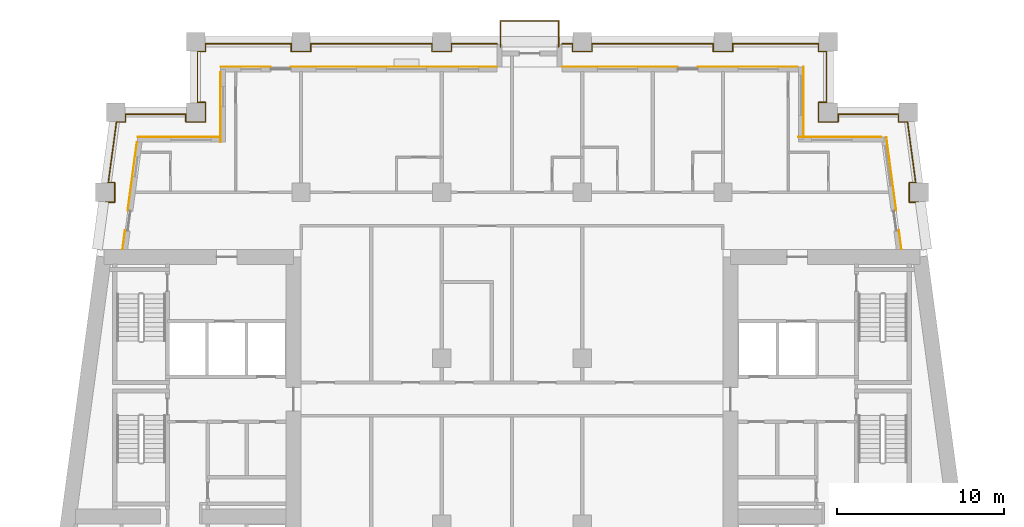
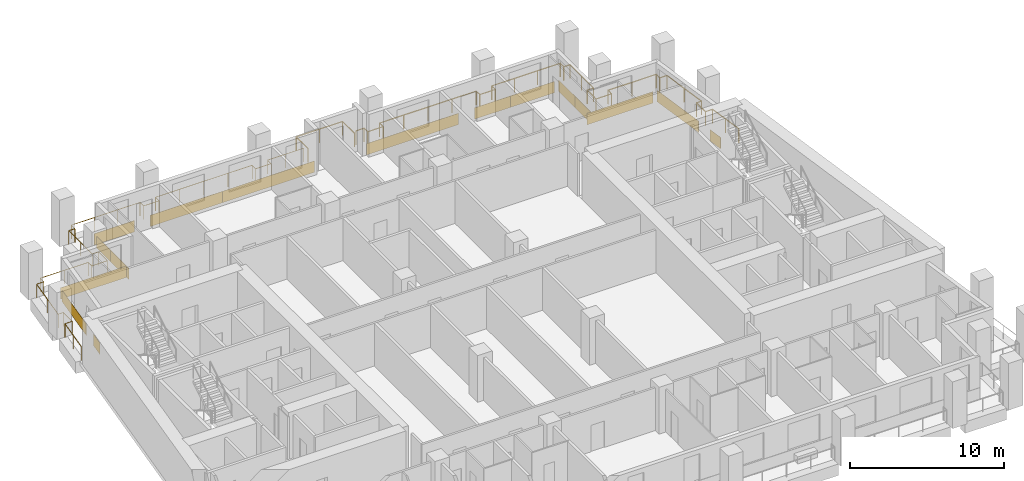
# One storey, part 12 of 13: 16 coverings, 3 railings.
"""IFC4 building model written with IfcOpenShell, lengths in metres."""

from ifc_helpers import new_model, si_unit, direction, frame, origin, origin_2d, place, context, subcontext, project, spatial, rectangle, circle, extrude, material, layer, layer_set, type_object, element, save


model = new_model("IFC4")

# Units and contexts
model_context = context("Model", 3, precision=1e-05, world=origin(), true_north=direction((0.0, 1.0)))
body_context = subcontext(model_context, "Body", "Model", "MODEL_VIEW")
ifc_project = project(units=[si_unit("LENGTHUNIT", "METRE"), si_unit("AREAUNIT", "SQUARE_METRE"), si_unit("VOLUMEUNIT", "CUBIC_METRE"), si_unit("PLANEANGLEUNIT", "RADIAN"), si_unit("MASSUNIT", "GRAM", prefix="KILO")], contexts=[model_context])

# Site, building, storey
site_placement = place(None, origin())
site = spatial("IfcSite", under=ifc_project, at=site_placement, CompositionType="ELEMENT")
building_placement = place(site_placement, origin())
building = spatial("IfcBuilding", under=site, at=building_placement, Name="Candeia Pilgrim Tower and Theatre", CompositionType="ELEMENT")
storey_placement = place(building_placement, frame((0.0, 0.0, 181.10009765625)))
storey = spatial("IfcBuildingStorey", under=building, at=storey_placement, Name="L43", CompositionType="ELEMENT", Elevation=181.10009765625)

# Railings
ifc_material_1 = material(Name="Stainless steel balustrade", Category="steel")
railing_type = type_object("IfcRailingType", Name="G1 loggia guard 1100", PredefinedType="GUARDRAIL", material=ifc_material_1)
railing_1_placement = place(storey_placement, frame((88.758544921875, 132.449951171875, 0.0)))
element("IfcRailing", 1, at=railing_1_placement, inside=storey, type_object=railing_type, Name="Guard L43.2", PredefinedType="GUARDRAIL", context=body_context, shape_type="SweptSolid", body=[
    extrude(circle(Radius=0.02392578125, at=origin_2d()), frame((0.0, 0.0, 1.076171875), z_axis=(0.133382313969, 0.991064659001, 0.0), x_axis=(-0.991064659001, 0.133382313969, 0.0)), (0.0, 0.0, 1.0), 2.794921875),
    extrude(circle(Radius=0.02392578125, at=origin_2d()), frame((0.372802734375, 2.77001953125, 1.076171875), z_axis=(1.0, 0.0, 0.0), x_axis=(0.0, 1.0, 0.0)), (0.0, 0.0, 1.0), 0.537109375),
    extrude(circle(Radius=0.02392578125, at=origin_2d()), frame((0.909912109375, 2.77001953125, 1.076171875), z_axis=(0.0, 1.0, 0.0), x_axis=(-1.0, 0.0, 0.0)), (0.0, 0.0, 1.0), 1.159912109375),
    extrude(circle(Radius=0.02392578125, at=origin_2d()), frame((0.909912109375, 3.929931640625, 1.076171875), z_axis=(-1.0, 0.0, 0.0), x_axis=(0.0, -1.0, 0.0)), (0.0, 0.0, 1.0), 0.380859375),
    extrude(circle(Radius=0.02392578125, at=origin_2d()), frame((0.529052734375, 3.929931640625, 1.076171875), z_axis=(0.133404479078, 0.99106167566, 0.0), x_axis=(-0.99106167566, 0.133404479078, 0.0)), (0.0, 0.0, 1.0), 3.6728515625),
    extrude(circle(Radius=0.02392578125, at=origin_2d()), frame((1.01904296875, 7.570068359375, 1.076171875), z_axis=(1.0, 0.0, 0.0), x_axis=(0.0, 1.0, 0.0)), (0.0, 0.0, 1.0), 0.537109375),
    extrude(circle(Radius=0.02392578125, at=origin_2d()), frame((1.55615234375, 7.570068359375, 1.076171875), z_axis=(0.0, 1.0, 0.0), x_axis=(-1.0, 0.0, 0.0)), (0.0, 0.0, 1.0), 0.4599609375),
    extrude(circle(Radius=0.02392578125, at=origin_2d()), frame((1.55615234375, 8.030029296875, 1.076171875), z_axis=(1.0, 0.0, 0.0), x_axis=(0.0, 1.0, 0.0)), (0.0, 0.0, 1.0), 3.605224609375),
    extrude(circle(Radius=0.02392578125, at=origin_2d()), frame((5.161376953125, 8.030029296875, 1.076171875), z_axis=(0.0, -1.0, 0.0), x_axis=(1.0, 0.0, 0.0)), (0.0, 0.0, 1.0), 0.4599609375),
    extrude(circle(Radius=0.02392578125, at=origin_2d()), frame((5.161376953125, 7.570068359375, 1.076171875), z_axis=(1.0, 0.0, 0.0), x_axis=(0.0, 1.0, 0.0)), (0.0, 0.0, 1.0), 1.16015625),
    extrude(circle(Radius=0.02392578125, at=origin_2d()), frame((6.321533203125, 7.570068359375, 1.076171875), z_axis=(0.0, 1.0, 0.0), x_axis=(-1.0, 0.0, 0.0)), (0.0, 0.0, 1.0), 1.159912109375),
    extrude(circle(Radius=0.02392578125, at=origin_2d()), frame((6.321533203125, 8.72998046875, 1.076171875), z_axis=(-1.0, 0.0, 0.0), x_axis=(0.0, -1.0, 0.0)), (0.0, 0.0, 1.0), 0.4599609375),
    extrude(circle(Radius=0.02392578125, at=origin_2d()), frame((5.861572265625, 8.72998046875, 1.076171875), z_axis=(0.0, 1.0, 0.0), x_axis=(-1.0, 0.0, 0.0)), (0.0, 0.0, 1.0), 3.0400390625),
    extrude(circle(Radius=0.02392578125, at=origin_2d()), frame((5.861572265625, 11.77001953125, 1.076171875), z_axis=(1.0, 0.0, 0.0), x_axis=(0.0, 1.0, 0.0)), (0.0, 0.0, 1.0), 0.4599609375),
    extrude(circle(Radius=0.02392578125, at=origin_2d()), frame((6.321533203125, 11.77001953125, 1.076171875), z_axis=(0.0, 1.0, 0.0), x_axis=(-1.0, 0.0, 0.0)), (0.0, 0.0, 1.0), 0.4599609375),
    extrude(circle(Radius=0.02392578125, at=origin_2d()), frame((6.321533203125, 12.22998046875, 1.076171875), z_axis=(1.0, 0.0, 0.0), x_axis=(0.0, 1.0, 0.0)), (0.0, 0.0, 1.0), 5.139892578125),
    extrude(circle(Radius=0.02392578125, at=origin_2d()), frame((11.46142578125, 12.22998046875, 1.076171875), z_axis=(0.0, -1.0, 0.0), x_axis=(1.0, 0.0, 0.0)), (0.0, 0.0, 1.0), 0.4599609375),
    extrude(circle(Radius=0.02392578125, at=origin_2d()), frame((11.46142578125, 11.77001953125, 1.076171875), z_axis=(1.0, 0.0, 0.0), x_axis=(0.0, 1.0, 0.0)), (0.0, 0.0, 1.0), 1.159912109375),
    extrude(circle(Radius=0.02392578125, at=origin_2d()), frame((12.621337890625, 11.77001953125, 1.076171875), z_axis=(0.0, 1.0, 0.0), x_axis=(-1.0, 0.0, 0.0)), (0.0, 0.0, 1.0), 0.4599609375),
    extrude(circle(Radius=0.02392578125, at=origin_2d()), frame((12.621337890625, 12.22998046875, 1.076171875), z_axis=(1.0, 0.0, 0.0), x_axis=(0.0, 1.0, 0.0)), (0.0, 0.0, 1.0), 7.240234375),
    extrude(circle(Radius=0.02392578125, at=origin_2d()), frame((19.861572265625, 12.22998046875, 1.076171875), z_axis=(0.0, -1.0, 0.0), x_axis=(1.0, 0.0, 0.0)), (0.0, 0.0, 1.0), 0.4599609375),
    extrude(circle(Radius=0.02392578125, at=origin_2d()), frame((19.861572265625, 11.77001953125, 1.076171875), z_axis=(1.0, 0.0, 0.0), x_axis=(0.0, 1.0, 0.0)), (0.0, 0.0, 1.0), 1.159912109375),
    extrude(circle(Radius=0.02392578125, at=origin_2d()), frame((21.021484375, 11.77001953125, 1.076171875), z_axis=(0.0, 1.0, 0.0), x_axis=(-1.0, 0.0, 0.0)), (0.0, 0.0, 1.0), 0.4599609375),
    extrude(circle(Radius=0.02392578125, at=origin_2d()), frame((21.021484375, 12.22998046875, 1.076171875), z_axis=(1.0, 0.0, 0.0), x_axis=(0.0, 1.0, 0.0)), (0.0, 0.0, 1.0), 2.719970703125),
    extrude(circle(Radius=0.02099609375, at=origin_2d()), origin(), (0.0, 0.0, 1.0), 1.052001953125),
    extrude(circle(Radius=0.02099609375, at=origin_2d()), frame((0.1865234375, 1.385009765625, 0.0)), (0.0, 0.0, 1.0), 1.052001953125),
    extrude(circle(Radius=0.02099609375, at=origin_2d()), frame((0.372802734375, 2.77001953125, 0.0)), (0.0, 0.0, 1.0), 1.052001953125),
    extrude(circle(Radius=0.02099609375, at=origin_2d()), frame((0.909912109375, 2.77001953125, 0.0)), (0.0, 0.0, 1.0), 1.052001953125),
    extrude(circle(Radius=0.02099609375, at=origin_2d()), frame((0.909912109375, 3.929931640625, 0.0)), (0.0, 0.0, 1.0), 1.052001953125),
    extrude(circle(Radius=0.02099609375, at=origin_2d()), frame((0.529052734375, 3.929931640625, 0.0)), (0.0, 0.0, 1.0), 1.052001953125),
    extrude(circle(Radius=0.02099609375, at=origin_2d()), frame((0.77392578125, 5.75, 0.0)), (0.0, 0.0, 1.0), 1.052001953125),
    extrude(circle(Radius=0.02099609375, at=origin_2d()), frame((1.01904296875, 7.570068359375, 0.0)), (0.0, 0.0, 1.0), 1.052001953125),
    extrude(circle(Radius=0.02099609375, at=origin_2d()), frame((1.55615234375, 7.570068359375, 0.0)), (0.0, 0.0, 1.0), 1.052001953125),
    extrude(circle(Radius=0.02099609375, at=origin_2d()), frame((1.55615234375, 8.030029296875, 0.0)), (0.0, 0.0, 1.0), 1.052001953125),
    extrude(circle(Radius=0.02099609375, at=origin_2d()), frame((3.35888671875, 8.030029296875, 0.0)), (0.0, 0.0, 1.0), 1.052001953125),
    extrude(circle(Radius=0.02099609375, at=origin_2d()), frame((5.161376953125, 8.030029296875, 0.0)), (0.0, 0.0, 1.0), 1.052001953125),
    extrude(circle(Radius=0.02099609375, at=origin_2d()), frame((5.161376953125, 7.570068359375, 0.0)), (0.0, 0.0, 1.0), 1.052001953125),
    extrude(circle(Radius=0.02099609375, at=origin_2d()), frame((6.321533203125, 7.570068359375, 0.0)), (0.0, 0.0, 1.0), 1.052001953125),
    extrude(circle(Radius=0.02099609375, at=origin_2d()), frame((6.321533203125, 8.72998046875, 0.0)), (0.0, 0.0, 1.0), 1.052001953125),
    extrude(circle(Radius=0.02099609375, at=origin_2d()), frame((5.861572265625, 8.72998046875, 0.0)), (0.0, 0.0, 1.0), 1.052001953125),
    extrude(circle(Radius=0.02099609375, at=origin_2d()), frame((5.861572265625, 10.25, 0.0)), (0.0, 0.0, 1.0), 1.052001953125),
    extrude(circle(Radius=0.02099609375, at=origin_2d()), frame((5.861572265625, 11.77001953125, 0.0)), (0.0, 0.0, 1.0), 1.052001953125),
    extrude(circle(Radius=0.02099609375, at=origin_2d()), frame((6.321533203125, 11.77001953125, 0.0)), (0.0, 0.0, 1.0), 1.052001953125),
    extrude(circle(Radius=0.02099609375, at=origin_2d()), frame((6.321533203125, 12.22998046875, 0.0)), (0.0, 0.0, 1.0), 1.052001953125),
    extrude(circle(Radius=0.02099609375, at=origin_2d()), frame((8.034912109375, 12.22998046875, 0.0)), (0.0, 0.0, 1.0), 1.052001953125),
    extrude(circle(Radius=0.02099609375, at=origin_2d()), frame((9.748046875, 12.22998046875, 0.0)), (0.0, 0.0, 1.0), 1.052001953125),
    extrude(circle(Radius=0.02099609375, at=origin_2d()), frame((11.46142578125, 12.22998046875, 0.0)), (0.0, 0.0, 1.0), 1.052001953125),
    extrude(circle(Radius=0.02099609375, at=origin_2d()), frame((11.46142578125, 11.77001953125, 0.0)), (0.0, 0.0, 1.0), 1.052001953125),
    extrude(circle(Radius=0.02099609375, at=origin_2d()), frame((12.621337890625, 11.77001953125, 0.0)), (0.0, 0.0, 1.0), 1.052001953125),
    extrude(circle(Radius=0.02099609375, at=origin_2d()), frame((12.621337890625, 12.22998046875, 0.0)), (0.0, 0.0, 1.0), 1.052001953125),
    extrude(circle(Radius=0.02099609375, at=origin_2d()), frame((14.431396484375, 12.22998046875, 0.0)), (0.0, 0.0, 1.0), 1.052001953125),
    extrude(circle(Radius=0.02099609375, at=origin_2d()), frame((16.241455078125, 12.22998046875, 0.0)), (0.0, 0.0, 1.0), 1.052001953125),
    extrude(circle(Radius=0.02099609375, at=origin_2d()), frame((18.051513671875, 12.22998046875, 0.0)), (0.0, 0.0, 1.0), 1.052001953125),
    extrude(circle(Radius=0.02099609375, at=origin_2d()), frame((19.861572265625, 12.22998046875, 0.0)), (0.0, 0.0, 1.0), 1.052001953125),
    extrude(circle(Radius=0.02099609375, at=origin_2d()), frame((19.861572265625, 11.77001953125, 0.0)), (0.0, 0.0, 1.0), 1.052001953125),
    extrude(circle(Radius=0.02099609375, at=origin_2d()), frame((21.021484375, 11.77001953125, 0.0)), (0.0, 0.0, 1.0), 1.052001953125),
    extrude(circle(Radius=0.02099609375, at=origin_2d()), frame((21.021484375, 12.22998046875, 0.0)), (0.0, 0.0, 1.0), 1.052001953125),
    extrude(circle(Radius=0.02099609375, at=origin_2d()), frame((22.38134765625, 12.22998046875, 0.0)), (0.0, 0.0, 1.0), 1.052001953125),
    extrude(circle(Radius=0.02099609375, at=origin_2d()), frame((23.741455078125, 12.22998046875, 0.0)), (0.0, 0.0, 1.0), 1.052001953125),
])
railing_2_placement = place(storey_placement, frame((116.39990234375, 144.679931640625, 0.0)))
element("IfcRailing", 2, at=railing_2_placement, inside=storey, type_object=railing_type, Name="Guard L43.3", PredefinedType="GUARDRAIL", context=body_context, shape_type="SweptSolid", body=[
    extrude(circle(Radius=0.02392578125, at=origin_2d()), frame((0.0, 0.0, 1.076171875), z_axis=(1.0, 0.0, 0.0), x_axis=(0.0, 1.0, 0.0)), (0.0, 0.0, 1.0), 0.6201171875),
    extrude(circle(Radius=0.02392578125, at=origin_2d()), frame((0.6201171875, 0.0, 1.076171875), z_axis=(0.0, -1.0, 0.0), x_axis=(1.0, 0.0, 0.0)), (0.0, 0.0, 1.0), 0.4599609375),
    extrude(circle(Radius=0.02392578125, at=origin_2d()), frame((0.6201171875, -0.4599609375, 1.076171875), z_axis=(1.0, 0.0, 0.0), x_axis=(0.0, 1.0, 0.0)), (0.0, 0.0, 1.0), 1.159912109375),
    extrude(circle(Radius=0.02392578125, at=origin_2d()), frame((1.780029296875, -0.4599609375, 1.076171875), z_axis=(0.0, 1.0, 0.0), x_axis=(-1.0, 0.0, 0.0)), (0.0, 0.0, 1.0), 0.4599609375),
    extrude(circle(Radius=0.02392578125, at=origin_2d()), frame((1.780029296875, 0.0, 1.076171875), z_axis=(1.0, 0.0, 0.0), x_axis=(0.0, 1.0, 0.0)), (0.0, 0.0, 1.0), 7.239990234375),
    extrude(circle(Radius=0.02392578125, at=origin_2d()), frame((9.02001953125, 0.0, 1.076171875), z_axis=(0.0, -1.0, 0.0), x_axis=(1.0, 0.0, 0.0)), (0.0, 0.0, 1.0), 0.4599609375),
    extrude(circle(Radius=0.02392578125, at=origin_2d()), frame((9.02001953125, -0.4599609375, 1.076171875), z_axis=(1.0, 0.0, 0.0), x_axis=(0.0, 1.0, 0.0)), (0.0, 0.0, 1.0), 1.16015625),
    extrude(circle(Radius=0.02392578125, at=origin_2d()), frame((10.18017578125, -0.4599609375, 1.076171875), z_axis=(0.0, 1.0, 0.0), x_axis=(-1.0, 0.0, 0.0)), (0.0, 0.0, 1.0), 0.4599609375),
    extrude(circle(Radius=0.02392578125, at=origin_2d()), frame((10.18017578125, 0.0, 1.076171875), z_axis=(1.0, 0.0, 0.0), x_axis=(0.0, 1.0, 0.0)), (0.0, 0.0, 1.0), 5.139892578125),
    extrude(circle(Radius=0.02392578125, at=origin_2d()), frame((15.320068359375, 0.0, 1.076171875), z_axis=(0.0, -1.0, 0.0), x_axis=(1.0, 0.0, 0.0)), (0.0, 0.0, 1.0), 0.4599609375),
    extrude(circle(Radius=0.02392578125, at=origin_2d()), frame((15.320068359375, -0.4599609375, 1.076171875), z_axis=(1.0, 0.0, 0.0), x_axis=(0.0, 1.0, 0.0)), (0.0, 0.0, 1.0), 0.4599609375),
    extrude(circle(Radius=0.02392578125, at=origin_2d()), frame((15.780029296875, -0.4599609375, 1.076171875), z_axis=(0.0, -1.0, 0.0), x_axis=(1.0, 0.0, 0.0)), (0.0, 0.0, 1.0), 3.0400390625),
    extrude(circle(Radius=0.02392578125, at=origin_2d()), frame((15.780029296875, -3.5, 1.076171875), z_axis=(-1.0, 0.0, 0.0), x_axis=(0.0, -1.0, 0.0)), (0.0, 0.0, 1.0), 0.4599609375),
    extrude(circle(Radius=0.02392578125, at=origin_2d()), frame((15.320068359375, -3.5, 1.076171875), z_axis=(0.0, -1.0, 0.0), x_axis=(1.0, 0.0, 0.0)), (0.0, 0.0, 1.0), 1.159912109375),
    extrude(circle(Radius=0.02392578125, at=origin_2d()), frame((15.320068359375, -4.659912109375, 1.076171875), z_axis=(1.0, 0.0, 0.0), x_axis=(0.0, 1.0, 0.0)), (0.0, 0.0, 1.0), 1.159912109375),
    extrude(circle(Radius=0.02392578125, at=origin_2d()), frame((16.47998046875, -4.659912109375, 1.076171875), z_axis=(0.0, 1.0, 0.0), x_axis=(-1.0, 0.0, 0.0)), (0.0, 0.0, 1.0), 0.4599609375),
    extrude(circle(Radius=0.02392578125, at=origin_2d()), frame((16.47998046875, -4.199951171875, 1.076171875), z_axis=(1.0, 0.0, 0.0), x_axis=(0.0, 1.0, 0.0)), (0.0, 0.0, 1.0), 3.60546875),
    extrude(circle(Radius=0.02392578125, at=origin_2d()), frame((20.08544921875, -4.199951171875, 1.076171875), z_axis=(0.0, -1.0, 0.0), x_axis=(1.0, 0.0, 0.0)), (0.0, 0.0, 1.0), 0.4599609375),
    extrude(circle(Radius=0.02392578125, at=origin_2d()), frame((20.08544921875, -4.659912109375, 1.076171875), z_axis=(1.0, 0.0, 0.0), x_axis=(0.0, 1.0, 0.0)), (0.0, 0.0, 1.0), 0.537109375),
    extrude(circle(Radius=0.02392578125, at=origin_2d()), frame((20.62255859375, -4.659912109375, 1.076171875), z_axis=(0.133404479078, -0.99106167566, 0.0), x_axis=(0.99106167566, 0.133404479078, 0.0)), (0.0, 0.0, 1.0), 3.6728515625),
    extrude(circle(Radius=0.02392578125, at=origin_2d()), frame((21.112548828125, -8.300048828125, 1.076171875), z_axis=(-1.0, 0.0, 0.0), x_axis=(0.0, -1.0, 0.0)), (0.0, 0.0, 1.0), 0.380859375),
    extrude(circle(Radius=0.02392578125, at=origin_2d()), frame((20.731689453125, -8.300048828125, 1.076171875), z_axis=(0.0, -1.0, 0.0), x_axis=(1.0, 0.0, 0.0)), (0.0, 0.0, 1.0), 1.159912109375),
    extrude(circle(Radius=0.02392578125, at=origin_2d()), frame((20.731689453125, -9.4599609375, 1.076171875), z_axis=(1.0, 0.0, 0.0), x_axis=(0.0, 1.0, 0.0)), (0.0, 0.0, 1.0), 0.536865234375),
    extrude(circle(Radius=0.02392578125, at=origin_2d()), frame((21.2685546875, -9.4599609375, 1.076171875), z_axis=(0.133468107709, -0.99105310868, 0.0), x_axis=(0.99105310868, 0.133468107709, 0.0)), (0.0, 0.0, 1.0), 2.794921875),
    extrude(circle(Radius=0.02099609375, at=origin_2d()), origin(), (0.0, 0.0, 1.0), 1.052001953125),
    extrude(circle(Radius=0.02099609375, at=origin_2d()), frame((0.6201171875, 0.0, 0.0)), (0.0, 0.0, 1.0), 1.052001953125),
    extrude(circle(Radius=0.02099609375, at=origin_2d()), frame((0.6201171875, -0.4599609375, 0.0)), (0.0, 0.0, 1.0), 1.052001953125),
    extrude(circle(Radius=0.02099609375, at=origin_2d()), frame((1.780029296875, -0.4599609375, 0.0)), (0.0, 0.0, 1.0), 1.052001953125),
    extrude(circle(Radius=0.02099609375, at=origin_2d()), frame((1.780029296875, 0.0, 0.0)), (0.0, 0.0, 1.0), 1.052001953125),
    extrude(circle(Radius=0.02099609375, at=origin_2d()), frame((3.590087890625, 0.0, 0.0)), (0.0, 0.0, 1.0), 1.052001953125),
    extrude(circle(Radius=0.02099609375, at=origin_2d()), frame((5.39990234375, 0.0, 0.0)), (0.0, 0.0, 1.0), 1.052001953125),
    extrude(circle(Radius=0.02099609375, at=origin_2d()), frame((7.2099609375, 0.0, 0.0)), (0.0, 0.0, 1.0), 1.052001953125),
    extrude(circle(Radius=0.02099609375, at=origin_2d()), frame((9.02001953125, 0.0, 0.0)), (0.0, 0.0, 1.0), 1.052001953125),
    extrude(circle(Radius=0.02099609375, at=origin_2d()), frame((9.02001953125, -0.4599609375, 0.0)), (0.0, 0.0, 1.0), 1.052001953125),
    extrude(circle(Radius=0.02099609375, at=origin_2d()), frame((10.18017578125, -0.4599609375, 0.0)), (0.0, 0.0, 1.0), 1.052001953125),
    extrude(circle(Radius=0.02099609375, at=origin_2d()), frame((10.18017578125, 0.0, 0.0)), (0.0, 0.0, 1.0), 1.052001953125),
    extrude(circle(Radius=0.02099609375, at=origin_2d()), frame((11.8935546875, 0.0, 0.0)), (0.0, 0.0, 1.0), 1.052001953125),
    extrude(circle(Radius=0.02099609375, at=origin_2d()), frame((13.606689453125, 0.0, 0.0)), (0.0, 0.0, 1.0), 1.052001953125),
    extrude(circle(Radius=0.02099609375, at=origin_2d()), frame((15.320068359375, 0.0, 0.0)), (0.0, 0.0, 1.0), 1.052001953125),
    extrude(circle(Radius=0.02099609375, at=origin_2d()), frame((15.320068359375, -0.4599609375, 0.0)), (0.0, 0.0, 1.0), 1.052001953125),
    extrude(circle(Radius=0.02099609375, at=origin_2d()), frame((15.780029296875, -0.4599609375, 0.0)), (0.0, 0.0, 1.0), 1.052001953125),
    extrude(circle(Radius=0.02099609375, at=origin_2d()), frame((15.780029296875, -1.97998046875, 0.0)), (0.0, 0.0, 1.0), 1.052001953125),
    extrude(circle(Radius=0.02099609375, at=origin_2d()), frame((15.780029296875, -3.5, 0.0)), (0.0, 0.0, 1.0), 1.052001953125),
    extrude(circle(Radius=0.02099609375, at=origin_2d()), frame((15.320068359375, -3.5, 0.0)), (0.0, 0.0, 1.0), 1.052001953125),
    extrude(circle(Radius=0.02099609375, at=origin_2d()), frame((15.320068359375, -4.659912109375, 0.0)), (0.0, 0.0, 1.0), 1.052001953125),
    extrude(circle(Radius=0.02099609375, at=origin_2d()), frame((16.47998046875, -4.659912109375, 0.0)), (0.0, 0.0, 1.0), 1.052001953125),
    extrude(circle(Radius=0.02099609375, at=origin_2d()), frame((16.47998046875, -4.199951171875, 0.0)), (0.0, 0.0, 1.0), 1.052001953125),
    extrude(circle(Radius=0.02099609375, at=origin_2d()), frame((18.28271484375, -4.199951171875, 0.0)), (0.0, 0.0, 1.0), 1.052001953125),
    extrude(circle(Radius=0.02099609375, at=origin_2d()), frame((20.08544921875, -4.199951171875, 0.0)), (0.0, 0.0, 1.0), 1.052001953125),
    extrude(circle(Radius=0.02099609375, at=origin_2d()), frame((20.08544921875, -4.659912109375, 0.0)), (0.0, 0.0, 1.0), 1.052001953125),
    extrude(circle(Radius=0.02099609375, at=origin_2d()), frame((20.62255859375, -4.659912109375, 0.0)), (0.0, 0.0, 1.0), 1.052001953125),
    extrude(circle(Radius=0.02099609375, at=origin_2d()), frame((20.86767578125, -6.47998046875, 0.0)), (0.0, 0.0, 1.0), 1.052001953125),
    extrude(circle(Radius=0.02099609375, at=origin_2d()), frame((21.112548828125, -8.300048828125, 0.0)), (0.0, 0.0, 1.0), 1.052001953125),
    extrude(circle(Radius=0.02099609375, at=origin_2d()), frame((20.731689453125, -8.300048828125, 0.0)), (0.0, 0.0, 1.0), 1.052001953125),
    extrude(circle(Radius=0.02099609375, at=origin_2d()), frame((20.731689453125, -9.4599609375, 0.0)), (0.0, 0.0, 1.0), 1.052001953125),
    extrude(circle(Radius=0.02099609375, at=origin_2d()), frame((21.2685546875, -9.4599609375, 0.0)), (0.0, 0.0, 1.0), 1.052001953125),
    extrude(circle(Radius=0.02099609375, at=origin_2d()), frame((21.455078125, -10.844970703125, 0.0)), (0.0, 0.0, 1.0), 1.052001953125),
    extrude(circle(Radius=0.02099609375, at=origin_2d()), frame((21.6416015625, -12.22998046875, 0.0)), (0.0, 0.0, 1.0), 1.052001953125),
])
railing_3_placement = place(storey_placement, frame((112.7099609375, 144.5, 0.0)))
element("IfcRailing", 3, at=railing_3_placement, inside=storey, type_object=railing_type, Name="Balcony guard L43", PredefinedType="GUARDRAIL", context=body_context, shape_type="SweptSolid", body=[
    extrude(circle(Radius=0.02392578125, at=origin_2d()), frame((0.0, 0.0, 1.076171875), z_axis=(0.0, 1.0, 0.0), x_axis=(-1.0, 0.0, 0.0)), (0.0, 0.0, 1.0), 1.5400390625),
    extrude(circle(Radius=0.02392578125, at=origin_2d()), frame((0.0, 1.5400390625, 1.076171875), z_axis=(1.0, 0.0, 0.0), x_axis=(0.0, 1.0, 0.0)), (0.0, 0.0, 1.0), 3.47998046875),
    extrude(circle(Radius=0.02392578125, at=origin_2d()), frame((3.47998046875, 1.5400390625, 1.076171875), z_axis=(0.0, -1.0, 0.0), x_axis=(1.0, 0.0, 0.0)), (0.0, 0.0, 1.0), 1.5400390625),
    extrude(circle(Radius=0.02099609375, at=origin_2d()), origin(), (0.0, 0.0, 1.0), 1.052001953125),
    extrude(circle(Radius=0.02099609375, at=origin_2d()), frame((0.0, 1.5400390625, 0.0)), (0.0, 0.0, 1.0), 1.052001953125),
    extrude(circle(Radius=0.02099609375, at=origin_2d()), frame((1.739990234375, 1.5400390625, 0.0)), (0.0, 0.0, 1.0), 1.052001953125),
    extrude(circle(Radius=0.02099609375, at=origin_2d()), frame((3.47998046875, 1.5400390625, 0.0)), (0.0, 0.0, 1.0), 1.052001953125),
    extrude(circle(Radius=0.02099609375, at=origin_2d()), frame((3.47998046875, 0.0, 0.0)), (0.0, 0.0, 1.0), 1.052001953125),
])

# Coverings
ifc_material_2 = material(Name="Glazed ceramic tile red")
ifc_layer_1 = layer(ifc_material_2, 0.02001953125)
ifc_layer_set_1 = layer_set([ifc_layer_1], Name="Glazed ceramic tile red")
covering_type_1 = type_object("IfcCoveringType", Name="Glazed ceramic tile red", PredefinedType="CLADDING", material=ifc_layer_set_1)
covering_1_placement = place(storey_placement, frame((136.588623046875, 132.97412109375, 0.0), z_axis=(0.0, 0.0, 1.0), x_axis=(-0.133412012145, 0.991060661622, 0.0)))
element("IfcCovering", 4, at=covering_1_placement, inside=storey, type_object=covering_type_1, Name="Tile cladding red L43", PredefinedType="CLADDING", context=body_context, shape_type="SweptSolid", body=[
    extrude(rectangle(XDim=1.115234375, YDim=0.02001953125, at=origin_2d()), origin(), (0.0, 0.0, 1.0), 0.89990234375),
])
covering_2_placement = place(storey_placement, frame((136.058837890625, 136.90869140625, 0.0), z_axis=(0.0, 0.0, 1.0), x_axis=(-0.133412012145, 0.991060661622, 0.0)))
element("IfcCovering", 5, at=covering_2_placement, inside=storey, type_object=covering_type_1, Name="Tile cladding red L43", PredefinedType="CLADDING", context=body_context, shape_type="SweptSolid", body=[
    extrude(rectangle(XDim=4.4248046875, YDim=0.02001953125, at=origin_2d()), origin(), (0.0, 0.0, 1.0), 0.89990234375),
])
covering_3_placement = place(storey_placement, frame((130.81005859375, 140.159912109375, 0.0), z_axis=(0.0, 0.0, 1.0), x_axis=(0.0, 1.0, 0.0)))
element("IfcCovering", 6, at=covering_3_placement, inside=storey, type_object=covering_type_1, Name="Tile cladding red L43", PredefinedType="CLADDING", context=body_context, shape_type="SweptSolid", body=[
    extrude(rectangle(XDim=2.080078125, YDim=0.02001953125, at=origin_2d()), origin(), (0.0, 0.0, 1.0), 0.89990234375),
])
covering_4_placement = place(storey_placement, frame((125.85009765625, 143.31005859375, 0.0), z_axis=(0.0, 0.0, 1.0), x_axis=(-1.0, 0.0, 0.0)))
element("IfcCovering", 7, at=covering_4_placement, inside=storey, type_object=covering_type_1, Name="Tile cladding red L43", PredefinedType="CLADDING", context=body_context, shape_type="SweptSolid", body=[
    extrude(rectangle(XDim=2.699951171875, YDim=0.02001953125, at=origin_2d()), origin(), (0.0, 0.0, 1.0), 0.89990234375),
])
for number, where, z_axis, x_axis, name in (
    (8, (119.85009765625, 143.31005859375, 0.0), (0.0, 0.0, 1.0), (-1.0, 0.0, 0.0), "Tile cladding red L43"),
    (9, (109.050048828125, 143.31005859375, 0.0), (0.0, 0.0, 1.0), (-1.0, 0.0, 0.0), "Tile cladding red L43"),
):
    element("IfcCovering", number, at=place(storey_placement, frame(where, z_axis=z_axis, x_axis=x_axis)), inside=storey, type_object=covering_type_1, Name=name, PredefinedType="CLADDING", context=body_context, shape_type="SweptSolid", body=[
        extrude(rectangle(XDim=6.89990234375, YDim=0.02001953125, at=origin_2d()), origin(), (0.0, 0.0, 1.0), 0.89990234375),
    ])
covering_5_placement = place(storey_placement, frame((95.989990234375, 140.0, 0.0), z_axis=(0.0, 0.0, 1.0), x_axis=(0.0, -1.0, 0.0)))
element("IfcCovering", 10, at=covering_5_placement, inside=storey, type_object=covering_type_1, Name="Tile cladding red L43", PredefinedType="CLADDING", context=body_context, shape_type="SweptSolid", body=[
    extrude(rectangle(XDim=2.39990234375, YDim=0.02001953125, at=origin_2d()), origin(), (0.0, 0.0, 1.0), 0.89990234375),
])
covering_6_placement = place(storey_placement, frame((90.720947265625, 136.759521484375, 0.0), z_axis=(0.0, 0.0, 1.0), x_axis=(-0.133412012145, -0.991060661622, 0.0)))
element("IfcCovering", 11, at=covering_6_placement, inside=storey, type_object=covering_type_1, Name="Tile cladding red L43", PredefinedType="CLADDING", context=body_context, shape_type="SweptSolid", body=[
    extrude(rectangle(XDim=4.123779296875, YDim=0.02001953125, at=origin_2d()), origin(), (0.0, 0.0, 1.0), 0.89990234375),
])
covering_7_placement = place(storey_placement, frame((90.21142578125, 132.97412109375, 0.0), z_axis=(0.0, 0.0, 1.0), x_axis=(-0.133412012145, -0.991060661622, 0.0)))
element("IfcCovering", 12, at=covering_7_placement, inside=storey, type_object=covering_type_1, Name="Tile cladding red L43", PredefinedType="CLADDING", context=body_context, shape_type="SweptSolid", body=[
    extrude(rectangle(XDim=1.115234375, YDim=0.02001953125, at=origin_2d()), origin(), (0.0, 0.0, 1.0), 0.89990234375),
])
ifc_material_3 = material(Name="Glazed ceramic tile rust")
ifc_layer_2 = layer(ifc_material_3, 0.02001953125)
ifc_layer_set_2 = layer_set([ifc_layer_2], Name="Glazed ceramic tile rust")
covering_type_2 = type_object("IfcCoveringType", Name="Glazed ceramic tile rust", PredefinedType="CLADDING", material=ifc_layer_set_2)
covering_8_placement = place(storey_placement, frame((132.976318359375, 139.110107421875, 0.0), z_axis=(0.0, 0.0, 1.0), x_axis=(-1.0, 0.0, 0.0)))
element("IfcCovering", 13, at=covering_8_placement, inside=storey, type_object=covering_type_2, Name="Tile cladding rust L43", PredefinedType="CLADDING", context=body_context, shape_type="SweptSolid", body=[
    extrude(rectangle(XDim=4.95263671875, YDim=0.02001953125, at=origin_2d()), origin(), (0.0, 0.0, 1.0), 0.89990234375),
])
covering_9_placement = place(storey_placement, frame((130.81005859375, 142.25, 0.0), z_axis=(0.0, 0.0, 1.0), x_axis=(0.0, 1.0, 0.0)))
element("IfcCovering", 14, at=covering_9_placement, inside=storey, type_object=covering_type_2, Name="Tile cladding rust L43", PredefinedType="CLADDING", context=body_context, shape_type="SweptSolid", body=[
    extrude(rectangle(XDim=2.10009765625, YDim=0.02001953125, at=origin_2d()), origin(), (0.0, 0.0, 1.0), 0.89990234375),
])
covering_10_placement = place(storey_placement, frame((128.840087890625, 143.31005859375, 0.0), z_axis=(0.0, 0.0, 1.0), x_axis=(-1.0, 0.0, 0.0)))
element("IfcCovering", 15, at=covering_10_placement, inside=storey, type_object=covering_type_2, Name="Tile cladding rust L43", PredefinedType="CLADDING", context=body_context, shape_type="SweptSolid", body=[
    extrude(rectangle(XDim=3.280029296875, YDim=0.02001953125, at=origin_2d()), origin(), (0.0, 0.0, 1.0), 0.89990234375),
])
covering_11_placement = place(storey_placement, frame((102.89990234375, 143.31005859375, 0.0), z_axis=(0.0, 0.0, 1.0), x_axis=(-1.0, 0.0, 0.0)))
element("IfcCovering", 16, at=covering_11_placement, inside=storey, type_object=covering_type_2, Name="Tile cladding rust L43", PredefinedType="CLADDING", context=body_context, shape_type="SweptSolid", body=[
    extrude(rectangle(XDim=5.39990234375, YDim=0.02001953125, at=origin_2d()), origin(), (0.0, 0.0, 1.0), 0.89990234375),
])
covering_12_placement = place(storey_placement, frame((97.5, 143.31005859375, 0.0), z_axis=(0.0, 0.0, 1.0), x_axis=(-1.0, 0.0, 0.0)))
element("IfcCovering", 17, at=covering_12_placement, inside=storey, type_object=covering_type_2, Name="Tile cladding rust L43", PredefinedType="CLADDING", context=body_context, shape_type="SweptSolid", body=[
    extrude(rectangle(XDim=3.0, YDim=0.02001953125, at=origin_2d()), origin(), (0.0, 0.0, 1.0), 0.89990234375),
])
covering_13_placement = place(storey_placement, frame((95.989990234375, 142.090087890625, 0.0), z_axis=(0.0, 0.0, 1.0), x_axis=(0.0, -1.0, 0.0)))
element("IfcCovering", 18, at=covering_13_placement, inside=storey, type_object=covering_type_2, Name="Tile cladding rust L43", PredefinedType="CLADDING", context=body_context, shape_type="SweptSolid", body=[
    extrude(rectangle(XDim=1.780029296875, YDim=0.02001953125, at=origin_2d()), origin(), (0.0, 0.0, 1.0), 0.89990234375),
])
covering_14_placement = place(storey_placement, frame((93.51318359375, 139.110107421875, 0.0), z_axis=(0.0, 0.0, 1.0), x_axis=(-1.0, 0.0, 0.0)))
element("IfcCovering", 19, at=covering_14_placement, inside=storey, type_object=covering_type_2, Name="Tile cladding rust L43", PredefinedType="CLADDING", context=body_context, shape_type="SweptSolid", body=[
    extrude(rectangle(XDim=4.933837890625, YDim=0.02001953125, at=origin_2d()), origin(), (0.0, 0.0, 1.0), 0.89990234375),
])

save(model, "model.ifc")
